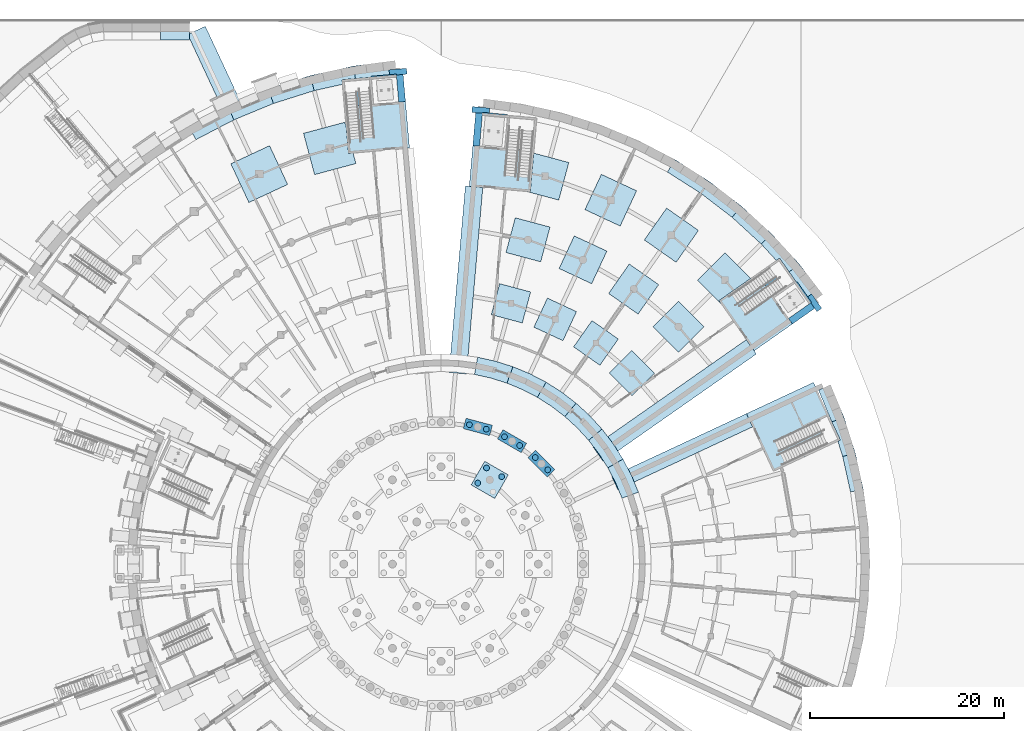
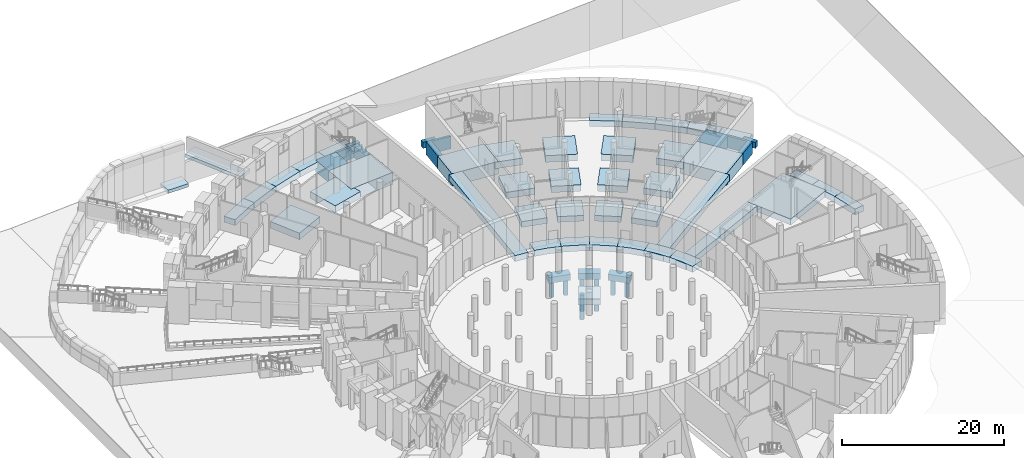
# One storey, part 6 of 65: 57 footings, 9 piles.
"""IFC4 building model written with IfcOpenShell, lengths in metres."""

import ifcopenshell
import ifcopenshell.guid

model = None  # the IFC model being written
_history = None  # IfcOwnerHistory: only IFC2X3 demands one
_inside = {}  # id of a spatial element -> (the spatial element, [elements in it])
_under = {}  # id of a project, library or spatial element -> (it, [spatial elements below it])
_declared = {}  # id of a project -> (the project, [libraries it declares])
_typed = {}  # id of a type object -> (the type object, [elements of that type])
_made_of = {}  # id of a material, layer set ... -> (it, [elements and type objects made of it])


def new_model(schema):
    """Start an empty IFC model of exactly this schema.

    Asked for "IFC4X3", IfcOpenShell would pick the latest addendum, in which some entities
    have other attributes; the version numbers below select the first issue.
    IFC2X3 requires an IfcOwnerHistory on every rooted entity: one is made here for all.
    """
    global model, _history
    if schema == "IFC4X3":
        model = ifcopenshell.file(schema_version=(4, 3, 0, 0))
    else:
        model = ifcopenshell.file(schema=schema)
    _inside.clear()
    _under.clear()
    _declared.clear()
    _typed.clear()
    _made_of.clear()
    _history = None
    if model.schema == "IFC2X3":
        org = make("IfcOrganization", Name="unknown")
        user = make(
            "IfcPersonAndOrganization",
            ThePerson=make("IfcPerson", FamilyName="unknown"),
            TheOrganization=org,
        )
        app = make(
            "IfcApplication",
            ApplicationDeveloper=org,
            Version="unknown",
            ApplicationFullName="unknown",
            ApplicationIdentifier="unknown",
        )
        _history = make(
            "IfcOwnerHistory",
            OwningUser=user,
            OwningApplication=app,
            ChangeAction="ADDED",
            CreationDate=0,
        )
    return model


def make(cls, **values):
    """One entity of the class cls with the attributes given. An attribute that is None is left unset."""
    return model.create_entity(
        cls, **{name: value for name, value in values.items() if value is not None}
    )


def rooted(cls, **values):
    """An entity with a GlobalId (a new one), such as an element, a storey or a relation."""
    return make(cls, GlobalId=ifcopenshell.guid.new(), OwnerHistory=_history, **values)


def si_unit(unit_type, name, prefix=None):
    """IfcSIUnit, for example si_unit("LENGTHUNIT", "METRE", prefix="MILLI")."""
    return make("IfcSIUnit", UnitType=unit_type, Prefix=prefix, Name=name)


def assignment(units):
    """IfcUnitAssignment: the units of a project."""
    return None if units is None else make("IfcUnitAssignment", Units=units)


def point(xyz):
    """IfcCartesianPoint."""
    return None if xyz is None else make("IfcCartesianPoint", Coordinates=xyz)


def direction(xyz):
    """IfcDirection."""
    return None if xyz is None else make("IfcDirection", DirectionRatios=xyz)


def frame(location, z_axis=None, x_axis=None):
    """IfcAxis2Placement3D, a coordinate frame: its origin and axes. An axis left out is left unset."""
    return make(
        "IfcAxis2Placement3D",
        Location=point(location),
        Axis=direction(z_axis),
        RefDirection=direction(x_axis),
    )


def frame_2d(location, x_axis=None):
    """IfcAxis2Placement2D, a coordinate frame in the plane: its origin and x axis."""
    return make(
        "IfcAxis2Placement2D", Location=point(location), RefDirection=direction(x_axis)
    )


def origin():
    """The frame at (0, 0, 0) with its axes left unset."""
    return frame((0.0, 0.0, 0.0))


def origin_2d():
    """The frame at (0, 0) in the plane with its x axis left unset."""
    return frame_2d((0.0, 0.0))


def place(relative_to, where):
    """IfcLocalPlacement: puts the frame where relative to a parent placement (None: the world)."""
    return make(
        "IfcLocalPlacement", PlacementRelTo=relative_to, RelativePlacement=where
    )


def context(
    kind, dimensions, precision=None, world=None, true_north=None, identifier=None
):
    """IfcGeometricRepresentationContext, for example the 3D "Model" context."""
    return make(
        "IfcGeometricRepresentationContext",
        ContextIdentifier=identifier,
        ContextType=kind,
        CoordinateSpaceDimension=dimensions,
        Precision=precision,
        WorldCoordinateSystem=world,
        TrueNorth=true_north,
    )


def subcontext(parent, identifier, kind, view, scale=None):
    """IfcGeometricRepresentationSubContext, for example "Body" below "Model"."""
    return make(
        "IfcGeometricRepresentationSubContext",
        ContextIdentifier=identifier,
        ContextType=kind,
        ParentContext=parent,
        TargetScale=scale,
        TargetView=view,
    )


def project(units=None, contexts=None):
    """IfcProject with its units and contexts."""
    return rooted(
        "IfcProject",
        Name="project",
        RepresentationContexts=contexts,
        UnitsInContext=assignment(units),
    )


def spatial(cls, under=None, at=None, **own):
    """A site, building, storey or space (cls), placed at a placement, below another one or the project."""
    s = rooted(cls, ObjectPlacement=at, **own)
    if under is not None:
        _under.setdefault(under.id(), (under, []))[1].append(s)
    return s


def polyline(points):
    """IfcPolyline through the points."""
    return make("IfcPolyline", Points=[point(p) for p in points])


def profile(cls, at=None, kind="AREA", **sizes):
    """A parametric profile (cls). Its sizes go by their IFC names, for example OverallWidth=200.0."""
    return make(cls, ProfileType=kind, Position=at, **sizes)


def rectangle(**sizes):
    """IfcRectangleProfileDef."""
    return profile("IfcRectangleProfileDef", **sizes)


def circle(**sizes):
    """IfcCircleProfileDef."""
    return profile("IfcCircleProfileDef", **sizes)


def outline(outer, holes=None, kind="AREA"):
    """IfcArbitraryClosedProfileDef: a profile drawn as a closed curve; with holes, ...WithVoids."""
    if holes is None:
        return make("IfcArbitraryClosedProfileDef", ProfileType=kind, OuterCurve=outer)
    return make(
        "IfcArbitraryProfileDefWithVoids",
        ProfileType=kind,
        OuterCurve=outer,
        InnerCurves=holes,
    )


def extrude(swept, where, along, depth):
    """IfcExtrudedAreaSolid: the profile swept, set in the frame where, extruded along a direction by depth."""
    return make(
        "IfcExtrudedAreaSolid",
        SweptArea=swept,
        Position=where,
        ExtrudedDirection=direction(along),
        Depth=depth,
    )


def shape(context_of_items, identifier, shape_type, items):
    """IfcShapeRepresentation: the items that make up one representation, for example the "Body"."""
    return make(
        "IfcShapeRepresentation",
        ContextOfItems=context_of_items,
        RepresentationIdentifier=identifier,
        RepresentationType=shape_type,
        Items=items,
    )


def material(Name=None, Category=None):
    """IfcMaterial."""
    return make("IfcMaterial", Name=Name, Category=Category)


def made_of(thing, what):
    """Note that an element or type object is made of a material, layer set ...; save() writes the relation."""
    if what is not None:
        _made_of.setdefault(what.id(), (what, []))[1].append(thing)
    return thing


def type_object(cls, material=None, **own):
    """A type object (cls), such as IfcWallType, which elements share."""
    return made_of(rooted(cls, **own), material)


def element(
    cls,
    number,
    at=None,
    inside=None,
    cuts=None,
    type_object=None,
    material=None,
    context=None,
    identifier="Body",
    shape_type=None,
    held_by="IfcProductDefinitionShape",
    body=None,
    shapes=None,
    **own,
):
    """One element of the class cls, such as IfcWall. Its Tag is "e" and its number.

    at: its placement. inside: the storey or other place that contains it. cuts: it is an
    opening in that element (IfcRelVoidsElement). A single representation is given by context,
    identifier, shape_type and body (its items); several are given by shapes. held_by: the class
    of the entity that holds the representations. save() writes the other relations.
    """
    e = rooted(cls, Tag="e%d" % number, ObjectPlacement=at, **own)
    if body is not None:
        shapes = [shape(context, identifier, shape_type, body)]
    if shapes is not None:
        e.Representation = make(held_by, Representations=shapes)
    if inside is not None:
        _inside.setdefault(inside.id(), (inside, []))[1].append(e)
    if cuts is not None:
        rooted(
            "IfcRelVoidsElement", RelatingBuildingElement=cuts, RelatedOpeningElement=e
        )
    if type_object is not None:
        _typed.setdefault(type_object.id(), (type_object, []))[1].append(e)
    return made_of(e, material)


def aggregate(whole, parts):
    """IfcRelAggregates: a whole, such as a stair, and the parts it consists of."""
    return rooted("IfcRelAggregates", RelatingObject=whole, RelatedObjects=parts)


def save(model, path):
    """Write the relations noted so far, then the file.

    IfcRelAggregates (storeys below a building ...), IfcRelContainedInSpatialStructure (elements
    in a storey), IfcRelDefinesByType, IfcRelAssociatesMaterial and IfcRelDeclares: one each for
    every whole, place, type object, material and project.
    """
    for whole, parts in _under.values():
        aggregate(whole, parts)
    for where, things in _inside.values():
        rooted(
            "IfcRelContainedInSpatialStructure",
            RelatedElements=things,
            RelatingStructure=where,
        )
    for kind, things in _typed.values():
        rooted("IfcRelDefinesByType", RelatedObjects=things, RelatingType=kind)
    for what, things in _made_of.values():
        rooted("IfcRelAssociatesMaterial", RelatedObjects=things, RelatingMaterial=what)
    for by, libraries in _declared.values():
        rooted("IfcRelDeclares", RelatingContext=by, RelatedDefinitions=libraries)
    model.write(path)


model = new_model("IFC4")

# Units and contexts
model_context = context("Model", 3, precision=1e-05, world=origin(), true_north=direction((0.0, 1.0)))
body_context = subcontext(model_context, "Body", "Model", "MODEL_VIEW")
ifc_project = project(units=[si_unit("LENGTHUNIT", "METRE"), si_unit("AREAUNIT", "SQUARE_METRE"), si_unit("VOLUMEUNIT", "CUBIC_METRE"), si_unit("PLANEANGLEUNIT", "RADIAN"), si_unit("MASSUNIT", "GRAM", prefix="KILO")], contexts=[model_context])

# Site, building, storey
site_placement = place(None, origin())
site = spatial("IfcSite", under=ifc_project, at=site_placement, CompositionType="ELEMENT")
building_placement = place(site_placement, origin())
building = spatial("IfcBuilding", under=site, at=building_placement, Name="Volute Hill Aquarium", CompositionType="ELEMENT")
storey_placement = place(building_placement, frame((0.0, 0.0, -5.5)))
storey = spatial("IfcBuildingStorey", under=building, at=storey_placement, Name="L00", CompositionType="ELEMENT", Elevation=-5.5)

# Piles
ifc_material_1 = material(Name="Concrete C30/37", Category="concrete")
pile_type = type_object("IfcPileType", Name="Bored pile 600 C30/37 L2500", PredefinedType="BORED", material=ifc_material_1)
for number, where, z_axis, x_axis, name in (
    (1, (6.2294921875, 8.98974609375, -1.10009765625), (0.0, 0.0, -1.0), (1.0, 0.0, 0.0), "pl/DR/L00/c2.2.1"),
    (2, (3.7705078125, 8.330810546875, -1.10009765625), (0.0, 0.0, -1.0), (1.0, 0.0, 0.0), "pl/DR/L00/c2.2.2"),
    (3, (4.670654296875, 9.8896484375, -1.10009765625), (0.0, 0.0, -1.0), (1.0, 0.0, 0.0), "pl/DR/L00/c2.2.3"),
    (4, (10.960205078125, 9.6875, -1.10009765625), (0.0, 0.0, -1.0), (1.0, 0.0, 0.0), "pl/DR/L00/c3.3.0"),
    (5, (9.6875, 10.960205078125, -1.10009765625), (0.0, 0.0, -1.0), (1.0, 0.0, 0.0), "pl/DR/L00/c3.3.1"),
    (6, (8.079345703125, 12.194091796875, -1.10009765625), (0.0, 0.0, -1.0), (1.0, 0.0, 0.0), "pl/DR/L00/c3.4.0"),
    (7, (6.5205078125, 13.093994140625, -1.10009765625), (0.0, 0.0, -1.0), (1.0, 0.0, 0.0), "pl/DR/L00/c3.4.1"),
    (8, (4.648193359375, 13.86962890625, -1.10009765625), (0.0, 0.0, -1.0), (1.0, 0.0, 0.0), "pl/DR/L00/c3.5.0"),
    (9, (2.909423828125, 14.33544921875, -1.10009765625), (0.0, 0.0, -1.0), (1.0, 0.0, 0.0), "pl/DR/L00/c3.5.1"),
):
    element("IfcPile", number, at=place(storey_placement, frame(where, z_axis=z_axis, x_axis=x_axis)), inside=storey, type_object=pile_type, Name=name, PredefinedType="BORED", context=body_context, shape_type="SweptSolid", body=[
        extrude(circle(Radius=0.300048828125, at=origin_2d()), origin(), (0.0, 0.0, 1.0), 2.5),
    ])

# Footings
ifc_material_2 = material(Name="Concrete C30/37", Category="concrete")
footing_type_1 = type_object("IfcFootingType", Name="Core raft footing 900 C30/37", PredefinedType="PAD_FOOTING", material=ifc_material_2)
footing_1_placement = place(storey_placement, frame((0.0, 0.0, -0.89990234375)))
element("IfcFooting", 10, at=footing_1_placement, inside=storey, type_object=footing_type_1, Name="ft/S4/L00/raftB", PredefinedType="PAD_FOOTING", context=body_context, shape_type="SweptSolid", body=[
    extrude(outline(polyline([(32.037841796875, 14.11181640625), (32.03759765625, 14.11181640625), (31.40380859375, 15.471435546875), (38.291748046875, 18.683349609375), (38.92578125, 17.32373046875), (38.92578125, 17.32373046875), (41.059814453125, 12.7470703125), (34.172119140625, 9.53515625), (32.037841796875, 14.11181640625)])), origin(), (0.0, 0.0, 1.0), 0.89990234375),
])
ifc_material_3 = material(Name="Concrete C30/37", Category="concrete")
footing_type_2 = type_object("IfcFootingType", Name="Drum wall strip footing 1800", PredefinedType="STRIP_FOOTING", material=ifc_material_3)
footing_2_placement = place(storey_placement, frame((0.0, 0.0, -0.89990234375)))
element("IfcFooting", 11, at=footing_2_placement, inside=storey, type_object=footing_type_2, Name="ft/DR/L00/s2", PredefinedType="STRIP_FOOTING", context=body_context, shape_type="SweptSolid", body=[
    extrude(outline(polyline([(20.29736328125, 7.3876953125), (19.576171875, 9.128662109375), (18.7060546875, 10.800048828125), (17.147216796875, 9.89990234375), (17.94482421875, 8.367919921875), (18.60595703125, 6.77197265625), (20.29736328125, 7.3876953125)])), origin(), (0.0, 0.0, 1.0), 0.89990234375),
])
footing_3_placement = place(storey_placement, frame((0.0, 0.0, -0.89990234375)))
element("IfcFooting", 12, at=footing_3_placement, inside=storey, type_object=footing_type_2, Name="ft/DR/L00/s3", PredefinedType="STRIP_FOOTING", context=body_context, shape_type="SweptSolid", body=[
    extrude(outline(polyline([(18.7060546875, 10.800048828125), (17.693603515625, 12.389404296875), (16.546630859375, 13.88427734375), (15.167724609375, 12.727294921875), (16.21923828125, 11.356689453125), (17.147216796875, 9.89990234375), (18.7060546875, 10.800048828125)])), origin(), (0.0, 0.0, 1.0), 0.89990234375),
])
footing_4_placement = place(storey_placement, frame((0.0, 0.0, -0.89990234375)))
element("IfcFooting", 13, at=footing_4_placement, inside=storey, type_object=footing_type_2, Name="ft/DR/L00/s4", PredefinedType="STRIP_FOOTING", context=body_context, shape_type="SweptSolid", body=[
    extrude(outline(polyline([(16.546630859375, 13.88427734375), (15.2734375, 15.2734375), (13.88427734375, 16.546630859375), (12.727294921875, 15.167724609375), (14.000732421875, 14.000732421875), (15.167724609375, 12.727294921875), (16.546630859375, 13.88427734375)])), origin(), (0.0, 0.0, 1.0), 0.89990234375),
])
footing_5_placement = place(storey_placement, frame((0.0, 0.0, -0.89990234375)))
element("IfcFooting", 14, at=footing_5_placement, inside=storey, type_object=footing_type_2, Name="ft/DR/L00/s5", PredefinedType="STRIP_FOOTING", context=body_context, shape_type="SweptSolid", body=[
    extrude(outline(polyline([(13.88427734375, 16.546630859375), (12.389404296875, 17.693603515625), (10.800048828125, 18.7060546875), (9.89990234375, 17.147216796875), (11.356689453125, 16.21923828125), (12.727294921875, 15.167724609375), (13.88427734375, 16.546630859375)])), origin(), (0.0, 0.0, 1.0), 0.89990234375),
])
footing_6_placement = place(storey_placement, frame((0.0, 0.0, -0.89990234375)))
element("IfcFooting", 15, at=footing_6_placement, inside=storey, type_object=footing_type_2, Name="ft/DR/L00/s6", PredefinedType="STRIP_FOOTING", context=body_context, shape_type="SweptSolid", body=[
    extrude(outline(polyline([(10.800048828125, 18.7060546875), (9.128662109375, 19.576171875), (7.3876953125, 20.29736328125), (6.77197265625, 18.60595703125), (8.367919921875, 17.94482421875), (9.89990234375, 17.147216796875), (10.800048828125, 18.7060546875)])), origin(), (0.0, 0.0, 1.0), 0.89990234375),
])
footing_7_placement = place(storey_placement, frame((0.0, 0.0, -0.89990234375)))
element("IfcFooting", 16, at=footing_7_placement, inside=storey, type_object=footing_type_2, Name="ft/DR/L00/s7", PredefinedType="STRIP_FOOTING", context=body_context, shape_type="SweptSolid", body=[
    extrude(outline(polyline([(7.3876953125, 20.29736328125), (5.590576171875, 20.864013671875), (3.750732421875, 21.271728515625), (3.438232421875, 19.499267578125), (5.12451171875, 19.125244140625), (6.77197265625, 18.60595703125), (7.3876953125, 20.29736328125)])), origin(), (0.0, 0.0, 1.0), 0.89990234375),
])
ifc_material_4 = material(Name="Concrete C30/37", Category="concrete")
footing_type_3 = type_object("IfcFootingType", Name="Lift core raft footing 1800 C30/37", PredefinedType="PAD_FOOTING", material=ifc_material_4)
footing_8_placement = place(storey_placement, frame((0.0, 0.0, -1.800048828125)))
element("IfcFooting", 17, at=footing_8_placement, inside=storey, type_object=footing_type_3, Name="ft/S5/L00/raftA1", PredefinedType="PAD_FOOTING", context=body_context, shape_type="SweptSolid", body=[
    extrude(outline(polyline([(32.19287109375, 21.93115234375), (36.124755859375, 24.684326171875), (32.51123046875, 29.84521484375), (28.5791015625, 27.091796875), (32.19287109375, 21.93115234375)])), origin(), (0.0, 0.0, 1.0), 1.800048828125),
])
footing_9_placement = place(storey_placement, frame((0.0, 0.0, -1.800048828125)))
element("IfcFooting", 18, at=footing_9_placement, inside=storey, type_object=footing_type_3, Name="ft/S5/L00/raftA2", PredefinedType="PAD_FOOTING", context=body_context, shape_type="SweptSolid", body=[
    extrude(outline(polyline([(34.23193359375, 27.3876953125), (36.525390625, 28.99365234375), (34.8046875, 31.451171875), (32.51123046875, 29.84521484375), (34.23193359375, 27.3876953125)])), origin(), (0.0, 0.0, 1.0), 1.800048828125),
])
footing_10_placement = place(storey_placement, frame((0.0, 0.0, -1.800048828125)))
element("IfcFooting", 19, at=footing_10_placement, inside=storey, type_object=footing_type_3, Name="ft/S5/L00/raftA3", PredefinedType="PAD_FOOTING", context=body_context, shape_type="SweptSolid", body=[
    extrude(outline(polyline([(36.124755859375, 24.684326171875), (38.418212890625, 26.290283203125), (38.016845703125, 26.86376953125), (35.72314453125, 25.2578125), (36.124755859375, 24.684326171875)])), origin(), (0.0, 0.0, 1.0), 1.800048828125),
])
footing_11_placement = place(storey_placement, frame((0.0, 0.0, -1.800048828125)))
element("IfcFooting", 20, at=footing_11_placement, inside=storey, type_object=footing_type_3, Name="ft/S5/L00/raftA4", PredefinedType="PAD_FOOTING", context=body_context, shape_type="SweptSolid", body=[
    extrude(outline(polyline([(37.85302734375, 26.7490234375), (38.0986328125, 26.921142578125), (36.607421875, 29.051025390625), (36.36181640625, 28.87890625), (37.85302734375, 26.7490234375)])), origin(), (0.0, 0.0, 1.0), 1.800048828125),
])
footing_12_placement = place(storey_placement, frame((0.0, 0.0, -1.800048828125)))
element("IfcFooting", 21, at=footing_12_placement, inside=storey, type_object=footing_type_3, Name="ft/S6/L00/raftA1", PredefinedType="PAD_FOOTING", context=body_context, shape_type="SweptSolid", body=[
    extrude(outline(polyline([(-3.240966796875, 42.7802734375), (-3.6591796875, 47.56201171875), (-9.935302734375, 47.012939453125), (-9.516845703125, 42.231201171875), (-3.240966796875, 42.7802734375)])), origin(), (0.0, 0.0, 1.0), 1.800048828125),
])
footing_13_placement = place(storey_placement, frame((0.0, 0.0, -1.800048828125)))
element("IfcFooting", 22, at=footing_13_placement, inside=storey, type_object=footing_type_3, Name="ft/S6/L00/raftA2", PredefinedType="PAD_FOOTING", context=body_context, shape_type="SweptSolid", body=[
    extrude(outline(polyline([(-6.94677734375, 47.2744140625), (-7.190673828125, 50.063720703125), (-10.17919921875, 49.80224609375), (-9.935302734375, 47.012939453125), (-6.94677734375, 47.2744140625)])), origin(), (0.0, 0.0, 1.0), 1.800048828125),
])
footing_14_placement = place(storey_placement, frame((0.0, 0.0, -1.800048828125)))
element("IfcFooting", 23, at=footing_14_placement, inside=storey, type_object=footing_type_3, Name="ft/S6/L00/raftA3", PredefinedType="PAD_FOOTING", context=body_context, shape_type="SweptSolid", body=[
    extrude(outline(polyline([(-3.6591796875, 47.56201171875), (-3.9033203125, 50.351318359375), (-4.6005859375, 50.290283203125), (-4.356689453125, 47.501220703125), (-3.6591796875, 47.56201171875)])), origin(), (0.0, 0.0, 1.0), 1.800048828125),
])
footing_15_placement = place(storey_placement, frame((0.0, 0.0, -1.800048828125)))
element("IfcFooting", 24, at=footing_15_placement, inside=storey, type_object=footing_type_3, Name="ft/S6/L00/raftA4", PredefinedType="PAD_FOOTING", context=body_context, shape_type="SweptSolid", body=[
    extrude(outline(polyline([(-4.583251953125, 50.09130859375), (-4.609375, 50.389892578125), (-7.199462890625, 50.163330078125), (-7.17333984375, 49.864501953125), (-4.583251953125, 50.09130859375)])), origin(), (0.0, 0.0, 1.0), 1.800048828125),
])
ifc_material_5 = material(Name="Concrete C30/37", Category="concrete")
footing_type_4 = type_object("IfcFootingType", Name="Lift core raft footing 1900 C30/37", PredefinedType="PAD_FOOTING", material=ifc_material_5)
footing_16_placement = place(storey_placement, frame((0.0, 0.0, -1.89990234375)))
element("IfcFooting", 25, at=footing_16_placement, inside=storey, type_object=footing_type_4, Name="ft/S5/L00/raftB1", PredefinedType="PAD_FOOTING", context=body_context, shape_type="SweptSolid", body=[
    extrude(outline(polyline([(2.896484375, 38.845458984375), (3.2626953125, 43.029296875), (9.538818359375, 42.480224609375), (9.172607421875, 38.29638671875), (2.896484375, 38.845458984375)])), origin(), (0.0, 0.0, 1.0), 1.89990234375),
])
footing_17_placement = place(storey_placement, frame((0.0, 0.0, -1.89990234375)))
element("IfcFooting", 26, at=footing_17_placement, inside=storey, type_object=footing_type_4, Name="ft/S5/L00/raftB3", PredefinedType="PAD_FOOTING", context=body_context, shape_type="SweptSolid", body=[
    extrude(outline(polyline([(3.2626953125, 43.029296875), (3.55908203125, 46.41650390625), (4.25634765625, 46.35546875), (3.9599609375, 42.968505859375), (3.2626953125, 43.029296875)])), origin(), (0.0, 0.0, 1.0), 1.89990234375),
])
footing_18_placement = place(storey_placement, frame((0.0, 0.0, -1.89990234375)))
element("IfcFooting", 27, at=footing_18_placement, inside=storey, type_object=footing_type_4, Name="ft/S5/L00/raftB4", PredefinedType="PAD_FOOTING", context=body_context, shape_type="SweptSolid", body=[
    extrude(outline(polyline([(4.239013671875, 46.15625), (4.26513671875, 46.455078125), (6.855224609375, 46.228515625), (6.8291015625, 45.9296875), (4.239013671875, 46.15625)])), origin(), (0.0, 0.0, 1.0), 1.89990234375),
])
ifc_material_6 = material(Name="Concrete C30/37", Category="concrete")
footing_type_5 = type_object("IfcFootingType", Name="Outer wall strip footing 1350x900 C30/37", PredefinedType="STRIP_FOOTING", material=ifc_material_6)
footing_19_placement = place(storey_placement, frame((0.0, 0.0, -0.89990234375)))
element("IfcFooting", 28, at=footing_19_placement, inside=storey, type_object=footing_type_5, Name="ft/S4/L00/outer7", PredefinedType="STRIP_FOOTING", context=body_context, shape_type="SweptSolid", body=[
    extrude(outline(polyline([(42.597412109375, 11.413818359375), (43.429931640625, 7.657958984375), (42.1005859375, 7.423583984375), (41.293212890625, 11.064453125), (42.597412109375, 11.413818359375)])), origin(), (0.0, 0.0, 1.0), 0.89990234375),
])
footing_20_placement = place(storey_placement, frame((0.0, 0.0, -0.89990234375)))
element("IfcFooting", 29, at=footing_20_placement, inside=storey, type_object=footing_type_5, Name="ft/S4/L00/outer8", PredefinedType="STRIP_FOOTING", context=body_context, shape_type="SweptSolid", body=[
    extrude(outline(polyline([(41.4404296875, 15.0830078125), (42.597412109375, 11.413818359375), (41.293212890625, 11.064453125), (40.80078125, 12.626220703125), (41.059814453125, 12.7470703125), (40.183837890625, 14.625732421875), (41.4404296875, 15.0830078125)])), origin(), (0.0, 0.0, 1.0), 0.89990234375),
])
footing_21_placement = place(storey_placement, frame((0.0, 0.0, -0.89990234375)))
element("IfcFooting", 30, at=footing_21_placement, inside=storey, type_object=footing_type_5, Name="ft/S4/L00/outer9", PredefinedType="STRIP_FOOTING", context=body_context, shape_type="SweptSolid", body=[
    extrude(outline(polyline([(40.183837890625, 14.625732421875), (40.06103515625, 14.888916015625), (38.8212890625, 17.882080078125), (40.044921875, 18.452392578125), (41.4404296875, 15.0830078125), (40.183837890625, 14.625732421875)])), origin(), (0.0, 0.0, 1.0), 0.89990234375),
])
ifc_material_7 = material(Name="Concrete C30/37", Category="concrete")
footing_type_6 = type_object("IfcFootingType", Name="Outer wall strip footing 1500x900 C30/37", PredefinedType="STRIP_FOOTING", material=ifc_material_7)
footing_22_placement = place(storey_placement, frame((0.0, 0.0, -0.89990234375)))
element("IfcFooting", 31, at=footing_22_placement, inside=storey, type_object=footing_type_6, Name="ft/S5/L00/outer0", PredefinedType="STRIP_FOOTING", context=body_context, shape_type="SweptSolid", body=[
    extrude(outline(polyline([(36.808349609375, 30.885986328125), (39.23828125, 27.71923828125), (38.016845703125, 26.86376953125), (37.615234375, 27.437255859375), (37.615234375, 27.437255859375), (35.795654296875, 30.0361328125), (36.808349609375, 30.885986328125)])), origin(), (0.0, 0.0, 1.0), 0.89990234375),
])
footing_23_placement = place(storey_placement, frame((0.0, 0.0, -0.89990234375)))
element("IfcFooting", 32, at=footing_23_placement, inside=storey, type_object=footing_type_6, Name="ft/S5/L00/outer1", PredefinedType="STRIP_FOOTING", context=body_context, shape_type="SweptSolid", body=[
    extrude(outline(polyline([(33.9765625, 33.9765625), (36.808349609375, 30.885986328125), (35.795654296875, 30.0361328125), (34.8046875, 31.451171875), (34.4716796875, 31.218017578125), (32.915771484375, 32.915771484375), (33.9765625, 33.9765625)])), origin(), (0.0, 0.0, 1.0), 0.89990234375),
])
footing_24_placement = place(storey_placement, frame((0.0, 0.0, -0.89990234375)))
element("IfcFooting", 33, at=footing_24_placement, inside=storey, type_object=footing_type_6, Name="ft/S5/L00/outer2", PredefinedType="STRIP_FOOTING", context=body_context, shape_type="SweptSolid", body=[
    extrude(outline(polyline([(30.885986328125, 36.808349609375), (33.9765625, 33.9765625), (32.915771484375, 32.915771484375), (29.921875, 35.659423828125), (30.885986328125, 36.808349609375)])), origin(), (0.0, 0.0, 1.0), 0.89990234375),
])
footing_25_placement = place(storey_placement, frame((0.0, 0.0, -0.89990234375)))
element("IfcFooting", 34, at=footing_25_placement, inside=storey, type_object=footing_type_6, Name="ft/S5/L00/outer3", PredefinedType="STRIP_FOOTING", context=body_context, shape_type="SweptSolid", body=[
    extrude(outline(polyline([(27.560302734375, 39.3603515625), (30.885986328125, 36.808349609375), (29.921875, 35.659423828125), (26.699951171875, 38.131591796875), (27.560302734375, 39.3603515625)])), origin(), (0.0, 0.0, 1.0), 0.89990234375),
])
footing_26_placement = place(storey_placement, frame((0.0, 0.0, -0.89990234375)))
element("IfcFooting", 35, at=footing_26_placement, inside=storey, type_object=footing_type_6, Name="ft/S5/L00/outer4", PredefinedType="STRIP_FOOTING", context=body_context, shape_type="SweptSolid", body=[
    extrude(outline(polyline([(24.02490234375, 41.612548828125), (27.560302734375, 39.3603515625), (26.699951171875, 38.131591796875), (23.27490234375, 40.3134765625), (24.02490234375, 41.612548828125)])), origin(), (0.0, 0.0, 1.0), 0.89990234375),
])
ifc_material_8 = material(Name="Concrete C30/37", Category="concrete")
footing_type_7 = type_object("IfcFootingType", Name="Outer wall strip footing 1600x900 C30/37", PredefinedType="STRIP_FOOTING", material=ifc_material_8)
footing_27_placement = place(storey_placement, frame((0.0, 0.0, -0.89990234375)))
element("IfcFooting", 36, at=footing_27_placement, inside=storey, type_object=footing_type_7, Name="ft/S6/L00/outer0", PredefinedType="STRIP_FOOTING", context=body_context, shape_type="SweptSolid", body=[
    extrude(outline(polyline([(-9.02978515625, 51.2099609375), (-4.730712890625, 51.77587890625), (-4.6005859375, 50.290283203125), (-5.2978515625, 50.2294921875), (-5.2978515625, 50.2294921875), (-8.802734375, 49.922607421875), (-9.02978515625, 51.2099609375)])), origin(), (0.0, 0.0, 1.0), 0.89990234375),
])
footing_28_placement = place(storey_placement, frame((0.0, 0.0, -0.89990234375)))
element("IfcFooting", 37, at=footing_28_placement, inside=storey, type_object=footing_type_7, Name="ft/S6/L00/outer1", PredefinedType="STRIP_FOOTING", context=body_context, shape_type="SweptSolid", body=[
    extrude(outline(polyline([(-13.45849609375, 50.22802734375), (-9.02978515625, 51.2099609375), (-8.802734375, 49.922607421875), (-10.17919921875, 49.80224609375), (-10.1376953125, 49.3271484375), (-13.04443359375, 48.6826171875), (-13.45849609375, 50.22802734375)])), origin(), (0.0, 0.0, 1.0), 0.89990234375),
])
footing_29_placement = place(storey_placement, frame((0.0, 0.0, -0.89990234375)))
element("IfcFooting", 38, at=footing_29_placement, inside=storey, type_object=footing_type_7, Name="ft/S6/L00/outer2", PredefinedType="STRIP_FOOTING", context=body_context, shape_type="SweptSolid", body=[
    extrude(outline(polyline([(-17.784912109375, 48.864013671875), (-13.45849609375, 50.22802734375), (-13.04443359375, 48.6826171875), (-17.23779296875, 47.360595703125), (-17.784912109375, 48.864013671875)])), origin(), (0.0, 0.0, 1.0), 0.89990234375),
])
footing_30_placement = place(storey_placement, frame((0.0, 0.0, -0.89990234375)))
element("IfcFooting", 39, at=footing_30_placement, inside=storey, type_object=footing_type_7, Name="ft/S6/L00/outer3", PredefinedType="STRIP_FOOTING", context=body_context, shape_type="SweptSolid", body=[
    extrude(outline(polyline([(-21.97607421875, 47.1279296875), (-17.784912109375, 48.864013671875), (-17.23779296875, 47.360595703125), (-21.300048828125, 45.677978515625), (-21.97607421875, 47.1279296875)])), origin(), (0.0, 0.0, 1.0), 0.89990234375),
])
footing_31_placement = place(storey_placement, frame((0.0, 0.0, -0.89990234375)))
element("IfcFooting", 40, at=footing_31_placement, inside=storey, type_object=footing_type_7, Name="ft/S6/L00/outer4", PredefinedType="STRIP_FOOTING", context=body_context, shape_type="SweptSolid", body=[
    extrude(outline(polyline([(-26.0, 45.033203125), (-21.97607421875, 47.1279296875), (-21.300048828125, 45.677978515625), (-25.199951171875, 43.647705078125), (-26.0, 45.033203125)])), origin(), (0.0, 0.0, 1.0), 0.89990234375),
])
ifc_material_9 = material(Name="Concrete C30/37", Category="concrete")
footing_type_8 = type_object("IfcFootingType", Name="Pad footing 3300x3300x850 C30/37", PredefinedType="PAD_FOOTING", material=ifc_material_9)
footing_32_placement = place(storey_placement, frame((0.0, 0.0, -0.85009765625)))
element("IfcFooting", 41, at=footing_32_placement, inside=storey, type_object=footing_type_8, Name="ft/S5/L00/pad1.1", PredefinedType="PAD_FOOTING", context=body_context, shape_type="SweptSolid", body=[
    extrude(outline(polyline([(19.631103515625, 17.297607421875), (21.964599609375, 19.631103515625), (19.631103515625, 21.964599609375), (17.297607421875, 19.631103515625), (19.631103515625, 17.297607421875)])), origin(), (0.0, 0.0, 1.0), 0.85009765625),
])
footing_33_placement = place(storey_placement, frame((0.0, 0.0, -0.85009765625)))
element("IfcFooting", 42, at=footing_33_placement, inside=storey, type_object=footing_type_8, Name="ft/S5/L00/pad1.2", PredefinedType="PAD_FOOTING", context=body_context, shape_type="SweptSolid", body=[
    extrude(outline(polyline([(16.3291015625, 20.443603515625), (18.221923828125, 23.14697265625), (15.518798828125, 25.039794921875), (13.6259765625, 22.33642578125), (16.3291015625, 20.443603515625)])), origin(), (0.0, 0.0, 1.0), 0.85009765625),
])
footing_34_placement = place(storey_placement, frame((0.0, 0.0, -0.85009765625)))
element("IfcFooting", 43, at=footing_34_placement, inside=storey, type_object=footing_type_8, Name="ft/S5/L00/pad1.3", PredefinedType="PAD_FOOTING", context=body_context, shape_type="SweptSolid", body=[
    extrude(outline(polyline([(12.531005859375, 22.96875), (13.925537109375, 25.95947265625), (10.934814453125, 27.35400390625), (9.540283203125, 24.36328125), (12.531005859375, 22.96875)])), origin(), (0.0, 0.0, 1.0), 0.85009765625),
])
footing_35_placement = place(storey_placement, frame((0.0, 0.0, -0.85009765625)))
element("IfcFooting", 44, at=footing_35_placement, inside=storey, type_object=footing_type_8, Name="ft/S5/L00/pad1.4", PredefinedType="PAD_FOOTING", context=body_context, shape_type="SweptSolid", body=[
    extrude(outline(polyline([(8.352294921875, 24.795654296875), (9.206298828125, 27.983154296875), (6.018798828125, 28.83740234375), (5.164794921875, 25.64990234375), (8.352294921875, 24.795654296875)])), origin(), (0.0, 0.0, 1.0), 0.85009765625),
])
ifc_material_10 = material(Name="Concrete C30/37", Category="concrete")
footing_type_9 = type_object("IfcFootingType", Name="Pad footing 3700x3700x950 C30/37", PredefinedType="PAD_FOOTING", material=ifc_material_10)
footing_36_placement = place(storey_placement, frame((0.0, 0.0, -0.949951171875)))
element("IfcFooting", 45, at=footing_36_placement, inside=storey, type_object=footing_type_9, Name="ft/S5/L00/pad2.1", PredefinedType="PAD_FOOTING", context=body_context, shape_type="SweptSolid", body=[
    extrude(outline(polyline([(24.412841796875, 21.796630859375), (27.029296875, 24.412841796875), (24.412841796875, 27.029296875), (21.796630859375, 24.412841796875), (24.412841796875, 21.796630859375)])), origin(), (0.0, 0.0, 1.0), 0.949951171875),
])
footing_37_placement = place(storey_placement, frame((0.0, 0.0, -0.949951171875)))
element("IfcFooting", 46, at=footing_37_placement, inside=storey, type_object=footing_type_9, Name="ft/S5/L00/pad2.2", PredefinedType="PAD_FOOTING", context=body_context, shape_type="SweptSolid", body=[
    extrude(outline(polyline([(20.257080078125, 25.70458984375), (22.379150390625, 28.735595703125), (19.348388671875, 30.857666015625), (17.226318359375, 27.826904296875), (20.257080078125, 25.70458984375)])), origin(), (0.0, 0.0, 1.0), 0.949951171875),
])
footing_38_placement = place(storey_placement, frame((0.0, 0.0, -0.949951171875)))
element("IfcFooting", 47, at=footing_38_placement, inside=storey, type_object=footing_type_9, Name="ft/S5/L00/pad2.3", PredefinedType="PAD_FOOTING", context=body_context, shape_type="SweptSolid", body=[
    extrude(outline(polyline([(15.485595703125, 28.831787109375), (17.04931640625, 32.18505859375), (13.696044921875, 33.748779296875), (12.13232421875, 30.3955078125), (15.485595703125, 28.831787109375)])), origin(), (0.0, 0.0, 1.0), 0.949951171875),
])
footing_39_placement = place(storey_placement, frame((0.0, 0.0, -0.949951171875)))
element("IfcFooting", 48, at=footing_39_placement, inside=storey, type_object=footing_type_9, Name="ft/S5/L00/pad2.4", PredefinedType="PAD_FOOTING", context=body_context, shape_type="SweptSolid", body=[
    extrude(outline(polyline([(10.243896484375, 31.082763671875), (11.201416015625, 34.65673828125), (7.627685546875, 35.614501953125), (6.669921875, 32.04052734375), (10.243896484375, 31.082763671875)])), origin(), (0.0, 0.0, 1.0), 0.949951171875),
])
ifc_material_11 = material(Name="Concrete C30/37", Category="concrete")
footing_type_10 = type_object("IfcFootingType", Name="Pad footing 4000x4000x1000 C30/37", PredefinedType="PAD_FOOTING", material=ifc_material_11)
footing_40_placement = place(storey_placement, frame((0.0, 0.0, -1.0)))
element("IfcFooting", 49, at=footing_40_placement, inside=storey, type_object=footing_type_10, Name="ft/S5/L00/pad3.1", PredefinedType="PAD_FOOTING", context=body_context, shape_type="SweptSolid", body=[
    extrude(outline(polyline([(26.3662109375, 29.194580078125), (29.194580078125, 32.023193359375), (31.841552734375, 29.376220703125), (28.5791015625, 27.091796875), (28.83642578125, 26.724609375), (26.3662109375, 29.194580078125)])), origin(), (0.0, 0.0, 1.0), 1.0),
])
footing_41_placement = place(storey_placement, frame((0.0, 0.0, -1.0)))
element("IfcFooting", 50, at=footing_41_placement, inside=storey, type_object=footing_type_10, Name="ft/S5/L00/pad3.2", PredefinedType="PAD_FOOTING", context=body_context, shape_type="SweptSolid", body=[
    extrude(outline(polyline([(24.172607421875, 31.03515625), (26.467041015625, 34.31201171875), (23.190185546875, 36.606201171875), (20.89599609375, 33.32958984375), (24.172607421875, 31.03515625)])), origin(), (0.0, 0.0, 1.0), 1.0),
])
footing_42_placement = place(storey_placement, frame((0.0, 0.0, -1.0)))
element("IfcFooting", 51, at=footing_42_placement, inside=storey, type_object=footing_type_10, Name="ft/S5/L00/pad3.3", PredefinedType="PAD_FOOTING", context=body_context, shape_type="SweptSolid", body=[
    extrude(outline(polyline([(18.416259765625, 34.76123046875), (20.106689453125, 38.38671875), (16.4814453125, 40.0771484375), (14.791015625, 36.451904296875), (18.416259765625, 34.76123046875)])), origin(), (0.0, 0.0, 1.0), 1.0),
])
footing_43_placement = place(storey_placement, frame((0.0, 0.0, -1.0)))
element("IfcFooting", 52, at=footing_43_placement, inside=storey, type_object=footing_type_10, Name="ft/S5/L00/pad3.4", PredefinedType="PAD_FOOTING", context=body_context, shape_type="SweptSolid", body=[
    extrude(outline(polyline([(13.135498046875, 41.294921875), (12.10009765625, 37.43115234375), (8.7255859375, 38.33544921875), (9.172607421875, 38.29638671875), (9.519775390625, 42.263671875), (13.135498046875, 41.294921875)])), origin(), (0.0, 0.0, 1.0), 1.0),
])
ifc_material_12 = material(Name="Concrete C30/37", Category="concrete")
footing_type_11 = type_object("IfcFootingType", Name="Pad footing 4400x4400x1000 C30/37", PredefinedType="PAD_FOOTING", material=ifc_material_12)
footing_44_placement = place(storey_placement, frame((0.0, 0.0, -1.0)))
element("IfcFooting", 53, at=footing_44_placement, inside=storey, type_object=footing_type_11, Name="ft/S6/L00/pad3.1", PredefinedType="PAD_FOOTING", context=body_context, shape_type="SweptSolid", body=[
    extrude(outline(polyline([(-8.75830078125, 41.1865234375), (-13.00830078125, 40.0478515625), (-14.147216796875, 44.2978515625), (-9.897216796875, 45.4365234375), (-9.7490234375, 44.88427734375), (-9.516845703125, 42.231201171875), (-9.049072265625, 42.272216796875), (-8.75830078125, 41.1865234375)])), origin(), (0.0, 0.0, 1.0), 1.0),
])
footing_45_placement = place(storey_placement, frame((0.0, 0.0, -1.0)))
element("IfcFooting", 54, at=footing_45_placement, inside=storey, type_object=footing_type_11, Name="ft/S6/L00/pad3.2", PredefinedType="PAD_FOOTING", context=body_context, shape_type="SweptSolid", body=[
    extrude(outline(polyline([(-15.77734375, 39.0400390625), (-17.63671875, 43.027587890625), (-21.62451171875, 41.168212890625), (-19.764892578125, 37.180419921875), (-15.77734375, 39.0400390625)])), origin(), (0.0, 0.0, 1.0), 1.0),
])
ifc_material_13 = material(Name="Concrete C30/37", Category="concrete")
footing_type_12 = type_object("IfcFootingType", Name="Retaining wall footing C30/37 2000", PredefinedType="STRIP_FOOTING", material=ifc_material_13)
footing_46_placement = place(storey_placement, frame((-23.38232421875, 51.09033203125, 3.125), z_axis=(0.0, 0.0, 1.0), x_axis=(-0.422618261741, 0.906307787037, 0.0)))
element("IfcFooting", 55, at=footing_46_placement, inside=storey, type_object=footing_type_12, Name="ft/RW115/L00/0", PredefinedType="STRIP_FOOTING", context=body_context, shape_type="SweptSolid", body=[
    extrude(rectangle(XDim=8.370849609375, YDim=2.0, at=origin_2d()), origin(), (0.0, 0.0, 1.0), 0.5),
])
ifc_material_14 = material(Name="Concrete C30/37", Category="concrete")
footing_type_13 = type_object("IfcFootingType", Name="Site edge wall footing C30/37 1800", PredefinedType="STRIP_FOOTING", material=ifc_material_14)
footing_47_placement = place(storey_placement, frame((0.0, 0.0, -1.0)))
element("IfcFooting", 56, at=footing_47_placement, inside=storey, type_object=footing_type_13, Name="ft/RWE/77.3", PredefinedType="STRIP_FOOTING", context=body_context, shape_type="SweptSolid", body=[
    extrude(outline(polyline([(-25.896484375, 55.69140625), (-28.845458984375, 55.688720703125), (-28.84375, 53.888671875), (-25.894775390625, 53.891357421875), (-25.896484375, 55.69140625)])), origin(), (0.0, 0.0, 1.0), 0.5),
])
ifc_material_15 = material(Name="Concrete C30/37", Category="concrete")
footing_type_14 = type_object("IfcFootingType", Name="Strip footing 1500x900 C30/37", PredefinedType="STRIP_FOOTING", material=ifc_material_15)
footing_48_placement = place(storey_placement, frame((0.0, 0.0, -0.89990234375)))
element("IfcFooting", 57, at=footing_48_placement, inside=storey, type_object=footing_type_14, Name="ft/S4/L00/stripB0", PredefinedType="STRIP_FOOTING", context=body_context, shape_type="SweptSolid", body=[
    extrude(outline(polyline([(31.40380859375, 15.471435546875), (32.03759765625, 14.11181640625), (18.177734375, 7.64892578125), (17.543701171875, 9.00830078125), (31.40380859375, 15.471435546875)])), origin(), (0.0, 0.0, 1.0), 0.89990234375),
])
ifc_material_16 = material(Name="Concrete C30/37", Category="concrete")
footing_type_15 = type_object("IfcFootingType", Name="Strip footing 1800x900 C30/37", PredefinedType="STRIP_FOOTING", material=ifc_material_16)
footing_49_placement = place(storey_placement, frame((0.0, 0.0, -0.89990234375)))
element("IfcFooting", 58, at=footing_49_placement, inside=storey, type_object=footing_type_15, Name="ft/S5/L00/stripA0", PredefinedType="STRIP_FOOTING", context=body_context, shape_type="SweptSolid", body=[
    extrude(outline(polyline([(31.389892578125, 23.077880859375), (32.422119140625, 21.603515625), (16.659423828125, 10.56640625), (15.626953125, 12.040771484375), (31.389892578125, 23.077880859375)])), origin(), (0.0, 0.0, 1.0), 0.89990234375),
])
footing_50_placement = place(storey_placement, frame((0.0, 0.0, -0.89990234375)))
element("IfcFooting", 59, at=footing_50_placement, inside=storey, type_object=footing_type_15, Name="ft/S5/L00/stripA1", PredefinedType="STRIP_FOOTING", context=body_context, shape_type="SweptSolid", body=[
    extrude(outline(polyline([(38.106689453125, 27.781494140625), (39.13916015625, 26.306884765625), (38.647705078125, 25.962646484375), (37.615234375, 27.437255859375), (38.106689453125, 27.781494140625)])), origin(), (0.0, 0.0, 1.0), 0.89990234375),
])
footing_51_placement = place(storey_placement, frame((0.0, 0.0, -0.89990234375)))
element("IfcFooting", 60, at=footing_51_placement, inside=storey, type_object=footing_type_15, Name="ft/S5/L00/stripB0", PredefinedType="STRIP_FOOTING", context=body_context, shape_type="SweptSolid", body=[
    extrude(outline(polyline([(2.498046875, 38.880126953125), (4.291259765625, 38.723388671875), (2.614013671875, 19.5537109375), (0.821044921875, 19.710693359375), (2.498046875, 38.880126953125)])), origin(), (0.0, 0.0, 1.0), 0.89990234375),
])
footing_52_placement = place(storey_placement, frame((0.0, 0.0, -0.89990234375)))
element("IfcFooting", 61, at=footing_52_placement, inside=storey, type_object=footing_type_15, Name="ft/S5/L00/stripB1", PredefinedType="STRIP_FOOTING", context=body_context, shape_type="SweptSolid", body=[
    extrude(outline(polyline([(3.212890625, 47.049072265625), (5.006103515625, 46.89208984375), (4.95361328125, 46.29443359375), (3.160400390625, 46.451416015625), (3.212890625, 47.049072265625)])), origin(), (0.0, 0.0, 1.0), 0.89990234375),
])
footing_53_placement = place(storey_placement, frame((0.0, 0.0, -0.89990234375)))
element("IfcFooting", 62, at=footing_53_placement, inside=storey, type_object=footing_type_15, Name="ft/S6/L00/stripA0", PredefinedType="STRIP_FOOTING", context=body_context, shape_type="SweptSolid", body=[
    extrude(outline(polyline([(-5.35009765625, 50.8271484375), (-3.55712890625, 50.98388671875), (-3.5048828125, 50.38623046875), (-5.2978515625, 50.2294921875), (-5.35009765625, 50.8271484375)])), origin(), (0.0, 0.0, 1.0), 0.89990234375),
])
ifc_material_17 = material(Name="Concrete C30/37", Category="concrete")
footing_type_16 = type_object("IfcFootingType", Name="Tank hall pile cap 2800x1100 C30/37", PredefinedType="PILE_CAP", material=ifc_material_17)
for number, where, z_axis, x_axis, name in (
    (63, (10.32373046875, 10.32373046875, -1.199951171875), (0.0, 0.0, 1.0), (-0.707106781187, 0.707106781187, 0.0), "ft/DR/L00/c3.3"),
    (64, (7.300048828125, 12.64404296875, -1.199951171875), (0.0, 0.0, 1.0), (-0.866025403784, 0.5, 0.0), "ft/DR/L00/c3.4"),
    (65, (3.77880859375, 14.1025390625, -1.199951171875), (0.0, 0.0, 1.0), (-0.965925826289, 0.258819045103, 0.0), "ft/DR/L00/c3.5"),
):
    element("IfcFooting", number, at=place(storey_placement, frame(where, z_axis=z_axis, x_axis=x_axis)), inside=storey, type_object=footing_type_16, Name=name, PredefinedType="PILE_CAP", context=body_context, shape_type="SweptSolid", body=[
        extrude(rectangle(XDim=2.800048828125, YDim=1.10009765625, at=origin_2d()), origin(), (0.0, 0.0, 1.0), 0.89990234375),
    ])
ifc_material_18 = material(Name="Concrete C30/37", Category="concrete")
footing_type_17 = type_object("IfcFootingType", Name="Tank hall pile cap 2800x2800 C30/37", PredefinedType="PILE_CAP", material=ifc_material_18)
footing_54_placement = place(storey_placement, frame((5.0, 8.660400390625, -1.199951171875), z_axis=(0.0, 0.0, 1.0), x_axis=(-0.866025403784, 0.5, 0.0)))
element("IfcFooting", 66, at=footing_54_placement, inside=storey, type_object=footing_type_17, Name="ft/DR/L00/c2.2", PredefinedType="PILE_CAP", context=body_context, shape_type="SweptSolid", body=[
    extrude(rectangle(XDim=2.800048828125, YDim=2.800048828125, at=origin_2d()), origin(), (0.0, 0.0, 1.0), 0.89990234375),
])

save(model, "model.ifc")
